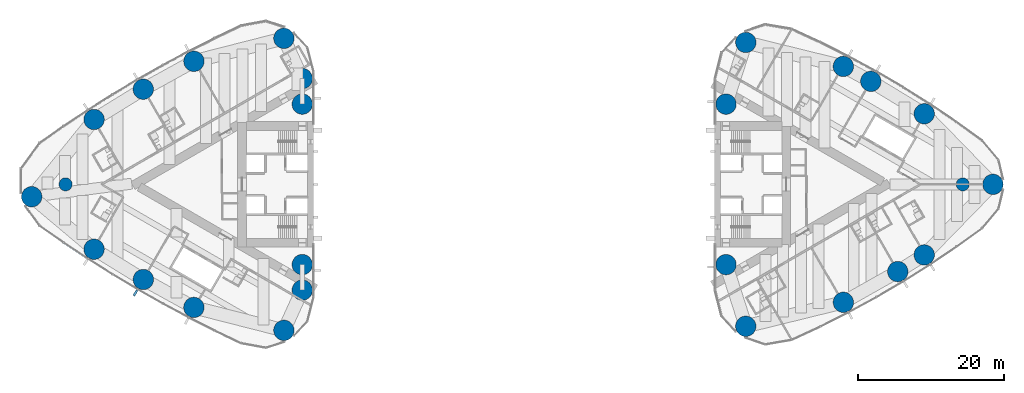
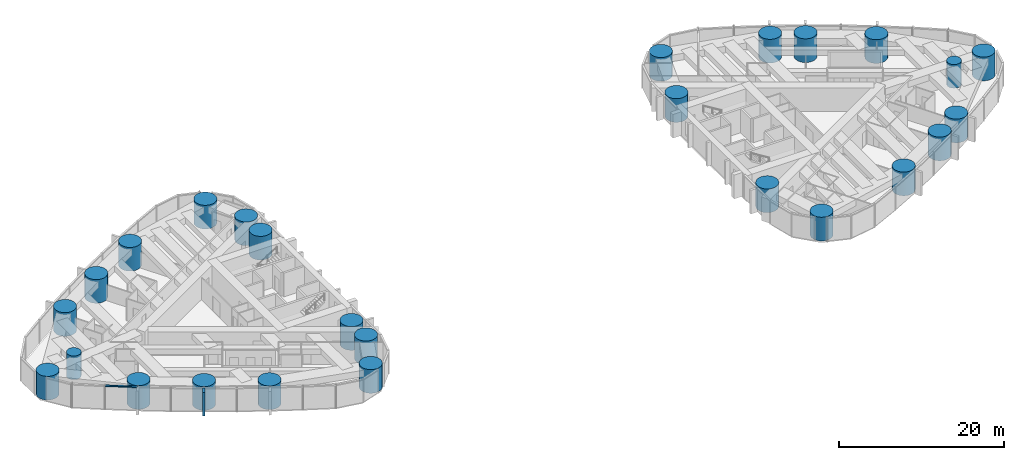
# One storey, part 1 of 19: 26 columns, 2 members, 1 element without a shape of its own.
"""IFC4 building model written with IfcOpenShell, lengths in metres."""

from ifc_helpers import new_model, si_unit, direction, frame, origin, origin_2d, place, context, subcontext, project, spatial, rectangle, circle, extrude, material, material_profile, profile_set, type_object, element, aggregate, save


model = new_model("IFC4")

# Units and contexts
model_context = context("Model", 3, precision=1e-05, world=origin(), true_north=direction((0.0, 1.0)))
body_context = subcontext(model_context, "Body", "Model", "MODEL_VIEW")
ifc_project = project(units=[si_unit("LENGTHUNIT", "METRE"), si_unit("AREAUNIT", "SQUARE_METRE"), si_unit("VOLUMEUNIT", "CUBIC_METRE"), si_unit("PLANEANGLEUNIT", "RADIAN"), si_unit("MASSUNIT", "GRAM", prefix="KILO")], contexts=[model_context])

# Site, building, storey
site_placement = place(None, origin())
site = spatial("IfcSite", under=ifc_project, at=site_placement, CompositionType="ELEMENT")
building_placement = place(site_placement, origin())
building = spatial("IfcBuilding", under=site, at=building_placement, Name="Lancet Gate Hotel", CompositionType="ELEMENT")
storey_placement = place(building_placement, frame((0.0, 0.0, 177.300048828125)))
storey = spatial("IfcBuildingStorey", under=building, at=storey_placement, Name="L47", CompositionType="ELEMENT", Elevation=177.300048828125)

# Columns
ifc_material_1 = material(Name="Concrete C60/75", Category="concrete")
ifc_material_profile_1 = material_profile(ifc_material_1, circle(Radius=0.89990234375, at=origin_2d()), Name="RC D1800")
ifc_profile_set_1 = profile_set([ifc_material_profile_1], Name="Concrete C60/75")
column_type_1 = type_object("IfcColumnType", Name="Apex column RC D1800", PredefinedType="COLUMN", material=ifc_profile_set_1)
for number, where, z_axis, x_axis, name in (
    (1, (-61.5, 0.0, 0.0), (0.0, 0.0, 1.0), (1.0, 0.0, 0.0), "T1 column AX L47"),
    (2, (61.5, 0.0, 0.0), (0.0, 0.0, 1.0), (1.0, 0.0, 0.0), "T2 column AX L47"),
):
    element("IfcColumn", number, at=place(storey_placement, frame(where, z_axis=z_axis, x_axis=x_axis)), inside=storey, type_object=column_type_1, Name=name, PredefinedType="COLUMN", context=body_context, shape_type="SweptSolid", body=[
        extrude(circle(Radius=0.89990234375, at=origin_2d()), origin(), (0.0, 0.0, 1.0), 3.5),
    ])
ifc_material_2 = material(Name="Concrete C60/75", Category="concrete")
ifc_material_profile_2 = material_profile(ifc_material_2, circle(Radius=1.39990234375, at=origin_2d()), Name="RC D2800")
ifc_profile_set_2 = profile_set([ifc_material_profile_2], Name="Concrete C60/75")
column_type_2 = type_object("IfcColumnType", Name="Perimeter column RC D2800", PredefinedType="COLUMN", material=ifc_profile_set_2)
for number, where, z_axis, x_axis, name in (
    (3, (-66.142578125, -1.6953125, 0.0), (0.0, 0.0, 1.0), (1.0, 0.0, 0.0), "T1 column CA L47"),
    (4, (-31.5654296875, -20.015869140625, 0.0), (0.0, 0.0, 1.0), (1.0, 0.0, 0.0), "T1 column CN L47"),
    (5, (-31.5654296875, 20.015869140625, 0.0), (0.0, 0.0, 1.0), (1.0, 0.0, 0.0), "T1 column CS L47"),
    (6, (-29.050048828125, -11.0, 0.0), (0.0, 0.0, 1.0), (1.0, 0.0, 0.0), "T1 column IN L47"),
    (7, (-29.050048828125, 11.0, 0.0), (0.0, 0.0, 1.0), (1.0, 0.0, 0.0), "T1 column IS L47"),
    (8, (-29.050048828125, 14.5, 0.0), (0.0, 0.0, 1.0), (1.0, 0.0, 0.0), "T1 column IT L47"),
    (9, (-29.050048828125, -14.5, 0.0), (0.0, 0.0, 1.0), (1.0, 0.0, 0.0), "T1 column JT L47"),
    (10, (-57.589599609375, -8.89306640625, 0.0), (0.0, 0.0, 1.0), (1.0, 0.0, 0.0), "T1 column ON1 L47"),
    (11, (-50.8388671875, -13.043212890625, 0.0), (0.0, 0.0, 1.0), (1.0, 0.0, 0.0), "T1 column ON2 L47"),
    (12, (-43.900390625, -16.871337890625, 0.0), (0.0, 0.0, 1.0), (1.0, 0.0, 0.0), "T1 column ON3 L47"),
    (13, (-43.900390625, 16.871337890625, 0.0), (0.0, 0.0, 1.0), (1.0, 0.0, 0.0), "T1 column OS1 L47"),
    (14, (-50.8388671875, 13.043212890625, 0.0), (0.0, 0.0, 1.0), (1.0, 0.0, 0.0), "T1 column OS2 L47"),
    (15, (-57.589599609375, 8.89306640625, 0.0), (0.0, 0.0, 1.0), (1.0, 0.0, 0.0), "T1 column OS3 L47"),
    (16, (65.6396484375, 0.0, 0.0), (0.0, 0.0, 1.0), (1.0, 0.0, 0.0), "T2 column CA L47"),
    (17, (31.759765625, 19.455810546875, 0.0), (0.0, 0.0, 1.0), (1.0, 0.0, 0.0), "T2 column CN L47"),
    (18, (31.759765625, -19.455810546875, 0.0), (0.0, 0.0, 1.0), (1.0, 0.0, 0.0), "T2 column CS L47"),
    (19, (29.050048828125, 11.0, 0.0), (0.0, 0.0, 1.0), (1.0, 0.0, 0.0), "T2 column IN L47"),
    (20, (29.050048828125, -11.0, 0.0), (0.0, 0.0, 1.0), (1.0, 0.0, 0.0), "T2 column IS L47"),
    (21, (56.220947265625, 9.67236328125, 0.0), (0.0, 0.0, 1.0), (1.0, 0.0, 0.0), "T2 column ON1 L47"),
    (22, (48.8974609375, 14.12060546875, 0.0), (0.0, 0.0, 1.0), (1.0, 0.0, 0.0), "T2 column ON2 L47"),
    (23, (45.133544921875, 16.16845703125, 0.0), (0.0, 0.0, 1.0), (1.0, 0.0, 0.0), "T2 column ON3 L47"),
    (24, (45.133544921875, -16.16845703125, 0.0), (0.0, 0.0, 1.0), (1.0, 0.0, 0.0), "T2 column OS1 L47"),
    (25, (52.594482421875, -11.95458984375, 0.0), (0.0, 0.0, 1.0), (1.0, 0.0, 0.0), "T2 column OS2 L47"),
    (26, (56.220947265625, -9.67236328125, 0.0), (0.0, 0.0, 1.0), (1.0, 0.0, 0.0), "T2 column OS3 L47"),
):
    element("IfcColumn", number, at=place(storey_placement, frame(where, z_axis=z_axis, x_axis=x_axis)), inside=storey, type_object=column_type_2, Name=name, PredefinedType="COLUMN", context=body_context, shape_type="SweptSolid", body=[
        extrude(circle(Radius=1.39990234375, at=origin_2d()), origin(), (0.0, 0.0, 1.0), 3.5),
    ])

# Curtain wall, members
ifc_material_3 = material(Name="Aluminium curtain wall", Category="aluminium")
curtain_wall_type = type_object("IfcCurtainWallType", Name="Tower unitised curtain wall", PredefinedType="USERDEFINED", material=ifc_material_3)
curtain_wall_placement = place(storey_placement, origin())
curtain_wall = element("IfcCurtainWall", 27, at=curtain_wall_placement, inside=storey, type_object=curtain_wall_type, Name="T1 L47 curtain wall 3", ObjectType="UNITISED CURTAIN WALL", PredefinedType="USERDEFINED")
ifc_material_4 = material(Name="Aluminium transom", Category="aluminium")
ifc_material_profile_3 = material_profile(ifc_material_4, rectangle(XDim=0.25, YDim=0.14990234375, at=origin_2d()), Name="TRANSOM 250x150")
ifc_profile_set_3 = profile_set([ifc_material_profile_3], Name="Aluminium transom")
member_type_1 = type_object("IfcMemberType", Name="Aluminium transom 250x150", PredefinedType="USERDEFINED", material=ifc_profile_set_3)
member_1_placement = place(storey_placement, frame((-61.735595703125, -7.998779296875, 3.425048828125), z_axis=(0.832870509189, -0.553467898729, 0.0), x_axis=(0.553467898729, 0.832870509189, 0.0)))
member_1 = element("IfcMember", 28, at=member_1_placement, type_object=member_type_1, Name="T1 L47 curtain wall 3 transom 3", ObjectType="TRANSOM", PredefinedType="USERDEFINED", context=body_context, shape_type="SweptSolid", body=[
    extrude(rectangle(XDim=0.25, YDim=0.14990234375, at=origin_2d()), origin(), (0.0, 0.0, 1.0), 3.933837890625),
])
ifc_material_5 = material(Name="Precast concrete C50/60", Category="concrete")
ifc_material_profile_4 = material_profile(ifc_material_5, rectangle(XDim=0.300048828125, YDim=0.89990234375, at=origin_2d()), Name="FIN 300x900")
ifc_profile_set_4 = profile_set([ifc_material_profile_4], Name="Precast concrete C50/60")
member_type_2 = type_object("IfcMemberType", Name="Exposed concrete fin 300x900", PredefinedType="USERDEFINED", material=ifc_profile_set_4)
member_2_placement = place(storey_placement, frame((-51.908935546875, -14.879150390625, 0.0), z_axis=(0.0, 0.0, 1.0), x_axis=(0.863968774311, -0.503545387245, 0.0)))
member_2 = element("IfcMember", 29, at=member_2_placement, type_object=member_type_2, Name="T1 L47 curtain wall 3 fin 6", ObjectType="FIN", PredefinedType="USERDEFINED", context=body_context, shape_type="SweptSolid", body=[
    extrude(rectangle(XDim=0.300048828125, YDim=0.89990234375, at=origin_2d()), origin(), (0.0, 0.0, 1.0), 3.5),
])
aggregate(curtain_wall, [member_2, member_1])

save(model, "model.ifc")
